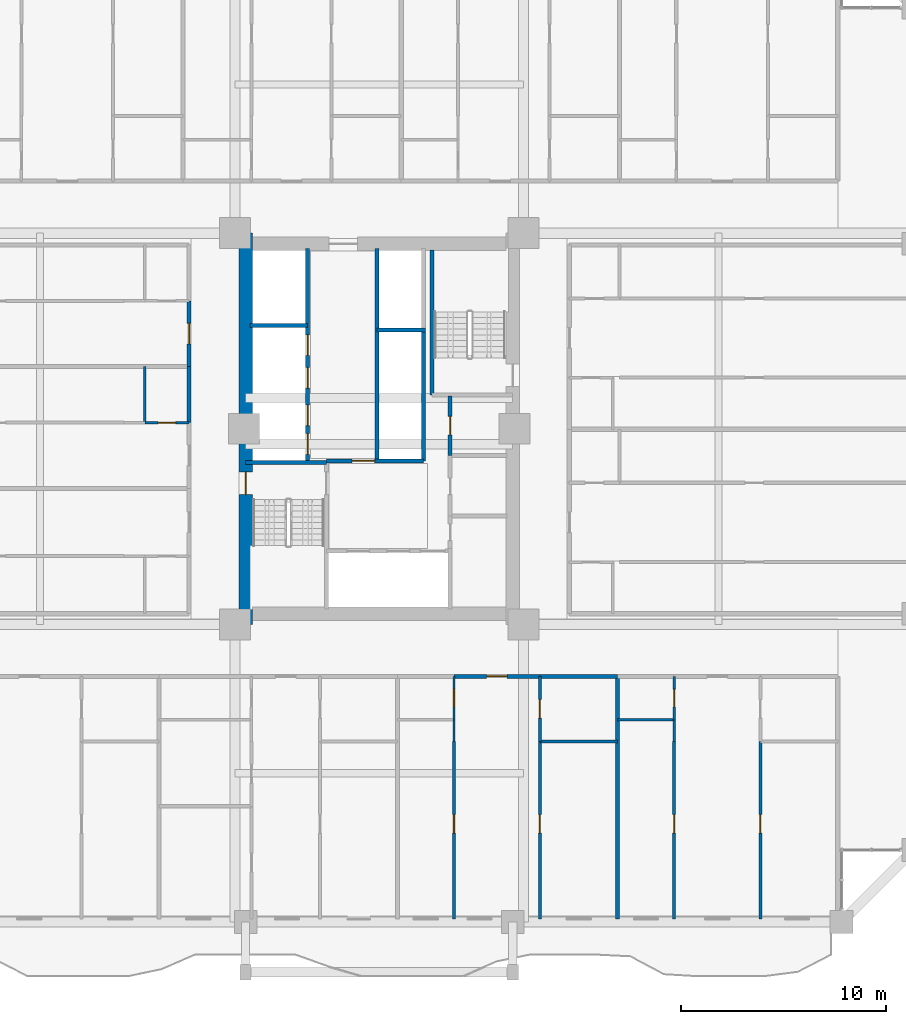
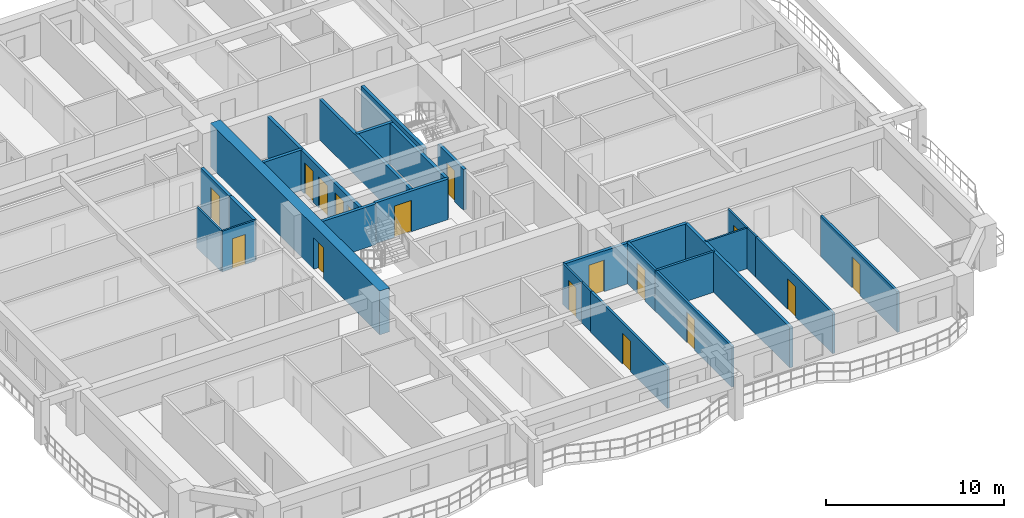
# One storey, part 16 of 27: 28 walls, 17 doors, 17 openings.
"""IFC4 building model written with IfcOpenShell, lengths in metres."""

import ifcopenshell
import ifcopenshell.guid

model = None  # the IFC model being written
_history = None  # IfcOwnerHistory: only IFC2X3 demands one
_inside = {}  # id of a spatial element -> (the spatial element, [elements in it])
_under = {}  # id of a project, library or spatial element -> (it, [spatial elements below it])
_declared = {}  # id of a project -> (the project, [libraries it declares])
_typed = {}  # id of a type object -> (the type object, [elements of that type])
_made_of = {}  # id of a material, layer set ... -> (it, [elements and type objects made of it])


def new_model(schema):
    """Start an empty IFC model of exactly this schema.

    Asked for "IFC4X3", IfcOpenShell would pick the latest addendum, in which some entities
    have other attributes; the version numbers below select the first issue.
    IFC2X3 requires an IfcOwnerHistory on every rooted entity: one is made here for all.
    """
    global model, _history
    if schema == "IFC4X3":
        model = ifcopenshell.file(schema_version=(4, 3, 0, 0))
    else:
        model = ifcopenshell.file(schema=schema)
    _inside.clear()
    _under.clear()
    _declared.clear()
    _typed.clear()
    _made_of.clear()
    _history = None
    if model.schema == "IFC2X3":
        org = make("IfcOrganization", Name="unknown")
        user = make(
            "IfcPersonAndOrganization",
            ThePerson=make("IfcPerson", FamilyName="unknown"),
            TheOrganization=org,
        )
        app = make(
            "IfcApplication",
            ApplicationDeveloper=org,
            Version="unknown",
            ApplicationFullName="unknown",
            ApplicationIdentifier="unknown",
        )
        _history = make(
            "IfcOwnerHistory",
            OwningUser=user,
            OwningApplication=app,
            ChangeAction="ADDED",
            CreationDate=0,
        )
    return model


def make(cls, **values):
    """One entity of the class cls with the attributes given. An attribute that is None is left unset."""
    return model.create_entity(
        cls, **{name: value for name, value in values.items() if value is not None}
    )


def rooted(cls, **values):
    """An entity with a GlobalId (a new one), such as an element, a storey or a relation."""
    return make(cls, GlobalId=ifcopenshell.guid.new(), OwnerHistory=_history, **values)


def si_unit(unit_type, name, prefix=None):
    """IfcSIUnit, for example si_unit("LENGTHUNIT", "METRE", prefix="MILLI")."""
    return make("IfcSIUnit", UnitType=unit_type, Prefix=prefix, Name=name)


def assignment(units):
    """IfcUnitAssignment: the units of a project."""
    return None if units is None else make("IfcUnitAssignment", Units=units)


def point(xyz):
    """IfcCartesianPoint."""
    return None if xyz is None else make("IfcCartesianPoint", Coordinates=xyz)


def direction(xyz):
    """IfcDirection."""
    return None if xyz is None else make("IfcDirection", DirectionRatios=xyz)


def frame(location, z_axis=None, x_axis=None):
    """IfcAxis2Placement3D, a coordinate frame: its origin and axes. An axis left out is left unset."""
    return make(
        "IfcAxis2Placement3D",
        Location=point(location),
        Axis=direction(z_axis),
        RefDirection=direction(x_axis),
    )


def frame_2d(location, x_axis=None):
    """IfcAxis2Placement2D, a coordinate frame in the plane: its origin and x axis."""
    return make(
        "IfcAxis2Placement2D", Location=point(location), RefDirection=direction(x_axis)
    )


def origin():
    """The frame at (0, 0, 0) with its axes left unset."""
    return frame((0.0, 0.0, 0.0))


def place(relative_to, where):
    """IfcLocalPlacement: puts the frame where relative to a parent placement (None: the world)."""
    return make(
        "IfcLocalPlacement", PlacementRelTo=relative_to, RelativePlacement=where
    )


def context(
    kind, dimensions, precision=None, world=None, true_north=None, identifier=None
):
    """IfcGeometricRepresentationContext, for example the 3D "Model" context."""
    return make(
        "IfcGeometricRepresentationContext",
        ContextIdentifier=identifier,
        ContextType=kind,
        CoordinateSpaceDimension=dimensions,
        Precision=precision,
        WorldCoordinateSystem=world,
        TrueNorth=true_north,
    )


def subcontext(parent, identifier, kind, view, scale=None):
    """IfcGeometricRepresentationSubContext, for example "Body" below "Model"."""
    return make(
        "IfcGeometricRepresentationSubContext",
        ContextIdentifier=identifier,
        ContextType=kind,
        ParentContext=parent,
        TargetScale=scale,
        TargetView=view,
    )


def project(units=None, contexts=None):
    """IfcProject with its units and contexts."""
    return rooted(
        "IfcProject",
        Name="project",
        RepresentationContexts=contexts,
        UnitsInContext=assignment(units),
    )


def spatial(cls, under=None, at=None, **own):
    """A site, building, storey or space (cls), placed at a placement, below another one or the project."""
    s = rooted(cls, ObjectPlacement=at, **own)
    if under is not None:
        _under.setdefault(under.id(), (under, []))[1].append(s)
    return s


def profile(cls, at=None, kind="AREA", **sizes):
    """A parametric profile (cls). Its sizes go by their IFC names, for example OverallWidth=200.0."""
    return make(cls, ProfileType=kind, Position=at, **sizes)


def rectangle(**sizes):
    """IfcRectangleProfileDef."""
    return profile("IfcRectangleProfileDef", **sizes)


def extrude(swept, where, along, depth):
    """IfcExtrudedAreaSolid: the profile swept, set in the frame where, extruded along a direction by depth."""
    return make(
        "IfcExtrudedAreaSolid",
        SweptArea=swept,
        Position=where,
        ExtrudedDirection=direction(along),
        Depth=depth,
    )


def shape(context_of_items, identifier, shape_type, items):
    """IfcShapeRepresentation: the items that make up one representation, for example the "Body"."""
    return make(
        "IfcShapeRepresentation",
        ContextOfItems=context_of_items,
        RepresentationIdentifier=identifier,
        RepresentationType=shape_type,
        Items=items,
    )


def source(mapping_origin, context_of_items, identifier, shape_type, items):
    """IfcRepresentationMap: a shape defined once, which mapped items show again and again."""
    return make(
        "IfcRepresentationMap",
        MappingOrigin=mapping_origin,
        MappedRepresentation=shape(context_of_items, identifier, shape_type, items),
    )


def transform(
    local_origin,
    x_axis=None,
    y_axis=None,
    z_axis=None,
    scale=None,
    scale2=None,
    scale3=None,
    uniform=True,
):
    """IfcCartesianTransformationOperator3D, or its non-uniform kind. x_axis, y_axis, z_axis: its Axis1, 2, 3."""
    if uniform:
        return make(
            "IfcCartesianTransformationOperator3D",
            Axis1=direction(x_axis),
            Axis2=direction(y_axis),
            LocalOrigin=point(local_origin),
            Scale=scale,
            Axis3=direction(z_axis),
        )
    return make(
        "IfcCartesianTransformationOperator3DnonUniform",
        Axis1=direction(x_axis),
        Axis2=direction(y_axis),
        LocalOrigin=point(local_origin),
        Scale=scale,
        Axis3=direction(z_axis),
        Scale2=scale2,
        Scale3=scale3,
    )


def mapped(mapping_source, mapping_target):
    """IfcMappedItem: shows the shape of a source again, moved by a transform."""
    return make(
        "IfcMappedItem", MappingSource=mapping_source, MappingTarget=mapping_target
    )


def material(Name=None, Category=None):
    """IfcMaterial."""
    return make("IfcMaterial", Name=Name, Category=Category)


def layer(
    of_material, thickness, ventilated=None, Name=None, Category=None, Priority=None
):
    """IfcMaterialLayer: one layer of a wall or slab, of a material (None: an air gap)."""
    return make(
        "IfcMaterialLayer",
        Material=of_material,
        LayerThickness=thickness,
        IsVentilated=ventilated,
        Name=Name,
        Category=Category,
        Priority=Priority,
    )


def layer_set(layers, Name=None):
    """IfcMaterialLayerSet."""
    return make("IfcMaterialLayerSet", MaterialLayers=layers, LayerSetName=Name)


def made_of(thing, what):
    """Note that an element or type object is made of a material, layer set ...; save() writes the relation."""
    if what is not None:
        _made_of.setdefault(what.id(), (what, []))[1].append(thing)
    return thing


def type_object(cls, material=None, **own):
    """A type object (cls), such as IfcWallType, which elements share."""
    return made_of(rooted(cls, **own), material)


def element(
    cls,
    number,
    at=None,
    inside=None,
    cuts=None,
    type_object=None,
    material=None,
    context=None,
    identifier="Body",
    shape_type=None,
    held_by="IfcProductDefinitionShape",
    body=None,
    shapes=None,
    **own,
):
    """One element of the class cls, such as IfcWall. Its Tag is "e" and its number.

    at: its placement. inside: the storey or other place that contains it. cuts: it is an
    opening in that element (IfcRelVoidsElement). A single representation is given by context,
    identifier, shape_type and body (its items); several are given by shapes. held_by: the class
    of the entity that holds the representations. save() writes the other relations.
    """
    e = rooted(cls, Tag="e%d" % number, ObjectPlacement=at, **own)
    if body is not None:
        shapes = [shape(context, identifier, shape_type, body)]
    if shapes is not None:
        e.Representation = make(held_by, Representations=shapes)
    if inside is not None:
        _inside.setdefault(inside.id(), (inside, []))[1].append(e)
    if cuts is not None:
        rooted(
            "IfcRelVoidsElement", RelatingBuildingElement=cuts, RelatedOpeningElement=e
        )
    if type_object is not None:
        _typed.setdefault(type_object.id(), (type_object, []))[1].append(e)
    return made_of(e, material)


def fill(opening, filler):
    """IfcRelFillsElement: the door or window that sits in an opening."""
    return rooted(
        "IfcRelFillsElement",
        RelatingOpeningElement=opening,
        RelatedBuildingElement=filler,
    )


def aggregate(whole, parts):
    """IfcRelAggregates: a whole, such as a stair, and the parts it consists of."""
    return rooted("IfcRelAggregates", RelatingObject=whole, RelatedObjects=parts)


def save(model, path):
    """Write the relations noted so far, then the file.

    IfcRelAggregates (storeys below a building ...), IfcRelContainedInSpatialStructure (elements
    in a storey), IfcRelDefinesByType, IfcRelAssociatesMaterial and IfcRelDeclares: one each for
    every whole, place, type object, material and project.
    """
    for whole, parts in _under.values():
        aggregate(whole, parts)
    for where, things in _inside.values():
        rooted(
            "IfcRelContainedInSpatialStructure",
            RelatedElements=things,
            RelatingStructure=where,
        )
    for kind, things in _typed.values():
        rooted("IfcRelDefinesByType", RelatedObjects=things, RelatingType=kind)
    for what, things in _made_of.values():
        rooted("IfcRelAssociatesMaterial", RelatedObjects=things, RelatingMaterial=what)
    for by, libraries in _declared.values():
        rooted("IfcRelDeclares", RelatingContext=by, RelatedDefinitions=libraries)
    model.write(path)


model = new_model("IFC4")

# Units and contexts
model_context = context("Model", 3, precision=1e-05, world=origin(), true_north=direction((0.0, 1.0)))
body_context = subcontext(model_context, "Body", "Model", "MODEL_VIEW")
ifc_project = project(units=[si_unit("LENGTHUNIT", "METRE"), si_unit("AREAUNIT", "SQUARE_METRE"), si_unit("VOLUMEUNIT", "CUBIC_METRE"), si_unit("PLANEANGLEUNIT", "RADIAN"), si_unit("MASSUNIT", "GRAM", prefix="KILO")], contexts=[model_context])

# Site, building, storey
site_placement = place(None, origin())
site = spatial("IfcSite", under=ifc_project, at=site_placement, CompositionType="ELEMENT")
building_placement = place(site_placement, origin())
building = spatial("IfcBuilding", under=site, at=building_placement, Name="Saelheon Loggia Tower", CompositionType="ELEMENT")
storey_placement = place(building_placement, frame((0.0, 0.0, 34.39990234375)))
storey = spatial("IfcBuildingStorey", under=building, at=storey_placement, Name="L10", CompositionType="ELEMENT", Elevation=34.39990234375)

# Wall, opening, door
ifc_material_1 = material(Name="Concrete C60/75", Category="concrete")
ifc_layer_1 = layer(ifc_material_1, 0.64990234375)
ifc_layer_set_1 = layer_set([ifc_layer_1], Name="Concrete C60/75")
wall_type_1 = type_object("IfcWallType", Name="Wall_CoreShear_650", PredefinedType="SHEAR", material=ifc_layer_set_1)
wall_1_placement = place(storey_placement, frame((31.5, 17.47998046875, 0.0), z_axis=(0.0, 0.0, 1.0), x_axis=(0.0, 1.0, 0.0)))
wall_1 = element("IfcWall", 1, at=wall_1_placement, inside=storey, type_object=wall_type_1, Name="L10 Core Shear Wall West", PredefinedType="SHEAR", context=body_context, shape_type="SweptSolid", body=[
    extrude(rectangle(XDim=19.0400390625, YDim=0.64990234375, at=frame_2d((9.52001953125, 0.0))), origin(), (0.0, 0.0, 1.0), 3.0),
])
opening_1_placement = place(wall_1_placement, frame((6.320068359375, 0.0, 0.0)))
opening_1 = element("IfcOpeningElement", 2, at=opening_1_placement, cuts=wall_1, Name="Opening D-FD2", PredefinedType="OPENING", context=body_context, shape_type="SweptSolid", body=[
    extrude(rectangle(XDim=1.10009765625, YDim=2.14990234375, at=frame_2d((0.550048828125, 1.074951171875))), frame((0.0, 0.3369140625, 0.0), z_axis=(0.0, -1.0, 0.0), x_axis=(1.0, 0.0, 0.0)), (0.0, 0.0, 1.0), 0.673828125),
])
ifc_material_2 = material(Name="Galvanised Steel Fire Door", Category="steel")
door_type_1 = type_object("IfcDoorType", Name="Door_Fire_FD60_1100", OperationType="NOTDEFINED", PredefinedType="DOOR", material=ifc_material_2)
shared_shape_1 = source(origin(), body_context, "Body", "SweptSolid", [
    extrude(rectangle(XDim=1.10009765625, YDim=2.14990234375, at=frame_2d((0.550048828125, 1.074951171875))), frame((0.0, 0.02490234375, 0.0), z_axis=(0.0, -1.0, 0.0), x_axis=(1.0, 0.0, 0.0)), (0.0, 0.0, 1.0), 0.050048828125),
])
door_1_placement = place(opening_1_placement, origin())
door_1 = element("IfcDoor", 3, at=door_1_placement, inside=storey, type_object=door_type_1, Name="L10 Stair ST1 Corridor Door", OperationType="SINGLE_SWING_LEFT", OverallHeight=2.14990234375, OverallWidth=1.10009765625, PredefinedType="DOOR", context=body_context, shape_type="MappedRepresentation", body=[
    mapped(shared_shape_1, transform((0.0, 0.0, 0.0), scale=1.0)),
])
fill(opening_1, door_1)

# Wall
ifc_material_3 = material(Name="Lightweight Autoclaved Aerated Concrete Block and Acoustic Gypsum", Category="concrete")
ifc_layer_2 = layer(ifc_material_3, 0.14990234375)
ifc_layer_set_2 = layer_set([ifc_layer_2], Name="Lightweight Autoclaved Aerated Concrete Block and Acoustic Gypsum")
wall_type_2 = type_object("IfcWallType", Name="Wall_Part_150", PredefinedType="PARTITIONING", material=ifc_layer_set_2)
wall_2_placement = place(storey_placement, frame((45.820068359375, 11.780029296875, 0.0), z_axis=(0.0, 0.0, 1.0), x_axis=(1.0, 0.0, 0.0)))
element("IfcWall", 4, at=wall_2_placement, inside=storey, type_object=wall_type_2, Name="L10 S Partition V31", PredefinedType="PARTITIONING", context=body_context, shape_type="SweptSolid", body=[
    extrude(rectangle(XDim=3.786376953125, YDim=0.14990234375, at=frame_2d((1.89306640625, 0.0))), origin(), (0.0, 0.0, 1.0), 2.7900390625),
])

# Wall, opening, door
wall_3_placement = place(storey_placement, frame((41.642822265625, 11.780029296875, 0.0), z_axis=(0.0, 0.0, 1.0), x_axis=(0.0, -1.0, 0.0)))
wall_3 = element("IfcWall", 5, at=wall_3_placement, inside=storey, type_object=wall_type_2, Name="L10 S Partition U34", PredefinedType="PARTITIONING", context=body_context, shape_type="SweptSolid", body=[
    extrude(rectangle(XDim=8.630126953125, YDim=0.14990234375, at=frame_2d((4.31494140625, 0.0))), origin(), (0.0, 0.0, 1.0), 2.7900390625),
])
opening_2_placement = place(wall_3_placement, frame((3.56298828125, 0.0, 0.0)))
opening_2 = element("IfcOpeningElement", 6, at=opening_2_placement, cuts=wall_3, Name="Opening D-IN2", PredefinedType="OPENING", context=body_context, shape_type="SweptSolid", body=[
    extrude(rectangle(XDim=0.89990234375, YDim=2.10009765625, at=frame_2d((0.449951171875, 1.050048828125))), frame((0.0, 0.0869140625, 0.0), z_axis=(0.0, -1.0, 0.0), x_axis=(1.0, 0.0, 0.0)), (0.0, 0.0, 1.0), 0.173828125),
])
ifc_material_4 = material(Name="Engineered Oak Flush Door", Category="timber")
door_type_2 = type_object("IfcDoorType", Name="Door_Int_900", OperationType="NOTDEFINED", PredefinedType="DOOR", material=ifc_material_4)
shared_shape_2 = source(origin(), body_context, "Body", "SweptSolid", [
    extrude(rectangle(XDim=0.89990234375, YDim=2.10009765625, at=frame_2d((0.449951171875, 1.050048828125))), frame((0.0, 0.02490234375, 0.0), z_axis=(0.0, -1.0, 0.0), x_axis=(1.0, 0.0, 0.0)), (0.0, 0.0, 1.0), 0.050048828125),
])
door_2_placement = place(opening_2_placement, origin())
door_2 = element("IfcDoor", 7, at=door_2_placement, inside=storey, type_object=door_type_2, Name="Unit U03 Kitchen Door", OperationType="SINGLE_SWING_RIGHT", OverallHeight=2.10009765625, OverallWidth=0.89990234375, PredefinedType="DOOR", context=body_context, shape_type="MappedRepresentation", body=[
    mapped(shared_shape_2, transform((0.0, 0.0, 0.0), scale=1.0)),
])
fill(opening_2, door_2)

wall_4_placement = place(storey_placement, frame((45.820068359375, 14.949951171875, 0.0), z_axis=(0.0, 0.0, 1.0), x_axis=(0.0, -1.0, 0.0)))
wall_4 = element("IfcWall", 8, at=wall_4_placement, inside=storey, type_object=wall_type_2, Name="L10 S Partition U35", PredefinedType="PARTITIONING", context=body_context, shape_type="SweptSolid", body=[
    extrude(rectangle(XDim=3.169921875, YDim=0.14990234375, at=frame_2d((1.5849609375, 0.0))), origin(), (0.0, 0.0, 1.0), 2.7900390625),
])
opening_3_placement = place(wall_4_placement, frame((1.135009765625, 0.0, 0.0)))
opening_3 = element("IfcOpeningElement", 9, at=opening_3_placement, cuts=wall_4, Name="Opening D-IN2", PredefinedType="OPENING", context=body_context, shape_type="SweptSolid", body=[
    extrude(rectangle(XDim=0.89990234375, YDim=2.10009765625, at=frame_2d((0.449951171875, 1.050048828125))), frame((0.0, 0.0869140625, 0.0), z_axis=(0.0, -1.0, 0.0), x_axis=(1.0, 0.0, 0.0)), (0.0, 0.0, 1.0), 0.173828125),
])
door_3_placement = place(opening_3_placement, origin())
door_3 = element("IfcDoor", 10, at=door_3_placement, inside=storey, type_object=door_type_2, Name="Unit U03 Dressing Closet Door", OperationType="SINGLE_SWING_LEFT", OverallHeight=2.10009765625, OverallWidth=0.89990234375, PredefinedType="DOOR", context=body_context, shape_type="MappedRepresentation", body=[
    mapped(shared_shape_2, transform((0.0, 0.0, 0.0), scale=1.0)),
])
fill(opening_3, door_3)

wall_5_placement = place(storey_placement, frame((45.820068359375, 11.780029296875, 0.0), z_axis=(0.0, 0.0, 1.0), x_axis=(0.0, -1.0, 0.0)))
wall_5 = element("IfcWall", 11, at=wall_5_placement, inside=storey, type_object=wall_type_2, Name="L10 S Partition U36", PredefinedType="PARTITIONING", context=body_context, shape_type="SweptSolid", body=[
    extrude(rectangle(XDim=8.630126953125, YDim=0.14990234375, at=frame_2d((4.31494140625, 0.0))), origin(), (0.0, 0.0, 1.0), 2.7900390625),
])
opening_4_placement = place(wall_5_placement, frame((3.56298828125, 0.0, 0.0)))
opening_4 = element("IfcOpeningElement", 12, at=opening_4_placement, cuts=wall_5, Name="Opening D-IN2", PredefinedType="OPENING", context=body_context, shape_type="SweptSolid", body=[
    extrude(rectangle(XDim=0.89990234375, YDim=2.10009765625, at=frame_2d((0.449951171875, 1.050048828125))), frame((0.0, 0.0869140625, 0.0), z_axis=(0.0, -1.0, 0.0), x_axis=(1.0, 0.0, 0.0)), (0.0, 0.0, 1.0), 0.173828125),
])
door_4_placement = place(opening_4_placement, origin())
door_4 = element("IfcDoor", 13, at=door_4_placement, inside=storey, type_object=door_type_2, Name="Unit U03 Bedroom 1 Door", OperationType="SINGLE_SWING_RIGHT", OverallHeight=2.10009765625, OverallWidth=0.89990234375, PredefinedType="DOOR", context=body_context, shape_type="MappedRepresentation", body=[
    mapped(shared_shape_2, transform((0.0, 0.0, 0.0), scale=1.0)),
])
fill(opening_4, door_4)

wall_6_placement = place(storey_placement, frame((52.3564453125, 11.780029296875, 0.0), z_axis=(0.0, 0.0, 1.0), x_axis=(0.0, -1.0, 0.0)))
wall_6 = element("IfcWall", 14, at=wall_6_placement, inside=storey, type_object=wall_type_2, Name="L10 S Partition U45", PredefinedType="PARTITIONING", context=body_context, shape_type="SweptSolid", body=[
    extrude(rectangle(XDim=8.630126953125, YDim=0.14990234375, at=frame_2d((4.31494140625, 0.0))), origin(), (0.0, 0.0, 1.0), 2.7900390625),
])
opening_5_placement = place(wall_6_placement, frame((3.56298828125, 0.0, 0.0)))
opening_5 = element("IfcOpeningElement", 15, at=opening_5_placement, cuts=wall_6, Name="Opening D-IN2", PredefinedType="OPENING", context=body_context, shape_type="SweptSolid", body=[
    extrude(rectangle(XDim=0.89990234375, YDim=2.10009765625, at=frame_2d((0.449951171875, 1.050048828125))), frame((0.0, 0.0869140625, 0.0), z_axis=(0.0, -1.0, 0.0), x_axis=(1.0, 0.0, 0.0)), (0.0, 0.0, 1.0), 0.173828125),
])
door_5_placement = place(opening_5_placement, origin())
door_5 = element("IfcDoor", 16, at=door_5_placement, inside=storey, type_object=door_type_2, Name="Unit U04 Kitchen Door", OperationType="SINGLE_SWING_LEFT", OverallHeight=2.10009765625, OverallWidth=0.89990234375, PredefinedType="DOOR", context=body_context, shape_type="MappedRepresentation", body=[
    mapped(shared_shape_2, transform((0.0, 0.0, 0.0), scale=1.0)),
])
fill(opening_5, door_5)

wall_7_placement = place(storey_placement, frame((56.55419921875, 11.780029296875, 0.0), z_axis=(0.0, 0.0, 1.0), x_axis=(0.0, -1.0, 0.0)))
wall_7 = element("IfcWall", 17, at=wall_7_placement, inside=storey, type_object=wall_type_2, Name="L10 S Partition U47", PredefinedType="PARTITIONING", context=body_context, shape_type="SweptSolid", body=[
    extrude(rectangle(XDim=8.630126953125, YDim=0.14990234375, at=frame_2d((4.31494140625, 0.0))), origin(), (0.0, 0.0, 1.0), 2.7900390625),
])
opening_6_placement = place(wall_7_placement, frame((3.56298828125, 0.0, 0.0)))
opening_6 = element("IfcOpeningElement", 18, at=opening_6_placement, cuts=wall_7, Name="Opening D-IN2", PredefinedType="OPENING", context=body_context, shape_type="SweptSolid", body=[
    extrude(rectangle(XDim=0.89990234375, YDim=2.10009765625, at=frame_2d((0.449951171875, 1.050048828125))), frame((0.0, 0.0869140625, 0.0), z_axis=(0.0, -1.0, 0.0), x_axis=(1.0, 0.0, 0.0)), (0.0, 0.0, 1.0), 0.173828125),
])
door_6_placement = place(opening_6_placement, origin())
door_6 = element("IfcDoor", 19, at=door_6_placement, inside=storey, type_object=door_type_2, Name="Unit U04 Bedroom 1 Door", OperationType="SINGLE_SWING_LEFT", OverallHeight=2.10009765625, OverallWidth=0.89990234375, PredefinedType="DOOR", context=body_context, shape_type="MappedRepresentation", body=[
    mapped(shared_shape_2, transform((0.0, 0.0, 0.0), scale=1.0)),
])
fill(opening_6, door_6)

ifc_material_5 = material(Name="Double Acoustic Stud and Fireboard Partition", Category="gypsum")
ifc_layer_3 = layer(ifc_material_5, 0.199951171875)
ifc_layer_set_3 = layer_set([ifc_layer_3], Name="Double Acoustic Stud and Fireboard Partition")
wall_type_3 = type_object("IfcWallType", Name="Wall_Party_200", PredefinedType="PARTITIONING", material=ifc_layer_set_3)
wall_8_placement = place(storey_placement, frame((41.642822265625, 14.949951171875, 0.0), z_axis=(0.0, 0.0, 1.0), x_axis=(1.0, 0.0, 0.0)))
wall_8 = element("IfcWall", 20, at=wall_8_placement, inside=storey, type_object=wall_type_3, Name="L10 S Partition V28", PredefinedType="PARTITIONING", context=body_context, shape_type="SweptSolid", body=[
    extrude(rectangle(XDim=4.17724609375, YDim=0.199951171875, at=frame_2d((2.088623046875, 0.0))), origin(), (0.0, 0.0, 1.0), 2.7900390625),
])
opening_7_placement = place(wall_8_placement, frame((1.588623046875, 0.0, 0.0)))
opening_7 = element("IfcOpeningElement", 21, at=opening_7_placement, cuts=wall_8, Name="Opening D-FD1", PredefinedType="OPENING", context=body_context, shape_type="SweptSolid", body=[
    extrude(rectangle(XDim=1.0, YDim=2.14990234375, at=frame_2d((0.5, 1.074951171875))), frame((0.0, 0.112060546875, 0.0), z_axis=(0.0, -1.0, 0.0), x_axis=(1.0, 0.0, 0.0)), (0.0, 0.0, 1.0), 0.223876953125),
])
ifc_material_6 = material(Name="Fire-Rated Engineered Timber Entrance Door", Category="wood")
door_type_3 = type_object("IfcDoorType", Name="Door_Flat_FD30S", OperationType="NOTDEFINED", PredefinedType="DOOR", material=ifc_material_6)
shared_shape_3 = source(origin(), body_context, "Body", "SweptSolid", [
    extrude(rectangle(XDim=1.0, YDim=2.14990234375, at=frame_2d((0.5, 1.074951171875))), frame((0.0, 0.02490234375, 0.0), z_axis=(0.0, -1.0, 0.0), x_axis=(1.0, 0.0, 0.0)), (0.0, 0.0, 1.0), 0.050048828125),
])
door_7_placement = place(opening_7_placement, origin())
door_7 = element("IfcDoor", 22, at=door_7_placement, inside=storey, type_object=door_type_3, Name="Unit U03 Entrance Door", OperationType="SINGLE_SWING_RIGHT", OverallHeight=2.14990234375, OverallWidth=1.0, PredefinedType="DOOR", context=body_context, shape_type="MappedRepresentation", body=[
    mapped(shared_shape_3, transform((0.0, 0.0, 0.0), scale=1.0)),
])
fill(opening_7, door_7)

# Walls
wall_9_placement = place(storey_placement, frame((45.820068359375, 14.949951171875, 0.0), z_axis=(0.0, 0.0, 1.0), x_axis=(1.0, 0.0, 0.0)))
element("IfcWall", 23, at=wall_9_placement, inside=storey, type_object=wall_type_3, Name="L10 S Partition V29", PredefinedType="PARTITIONING", context=body_context, shape_type="SweptSolid", body=[
    extrude(rectangle(XDim=3.786376953125, YDim=0.199951171875, at=frame_2d((1.89306640625, 0.0))), origin(), (0.0, 0.0, 1.0), 2.7900390625),
])
wall_10_placement = place(storey_placement, frame((49.6064453125, 14.949951171875, 0.0), z_axis=(0.0, 0.0, 1.0), x_axis=(0.0, -1.0, 0.0)))
element("IfcWall", 24, at=wall_10_placement, inside=storey, type_object=wall_type_3, Name="L10 S Partition U37", PredefinedType="PARTITIONING", context=body_context, shape_type="SweptSolid", body=[
    extrude(rectangle(XDim=11.800048828125, YDim=0.199951171875, at=frame_2d((5.89990234375, 0.0))), origin(), (0.0, 0.0, 1.0), 2.7900390625),
])
wall_11_placement = place(storey_placement, frame((28.75, 27.3017578125, 0.0), z_axis=(0.0, 0.0, 1.0), x_axis=(0.0, 1.0, 0.0)))
element("IfcWall", 25, at=wall_11_placement, inside=storey, type_object=wall_type_3, Name="L10 W Partition V11", PredefinedType="PARTITIONING", context=body_context, shape_type="SweptSolid", body=[
    extrude(rectangle(XDim=2.724853515625, YDim=0.199951171875, at=frame_2d((1.3623046875, 0.0))), origin(), (0.0, 0.0, 1.0), 2.7900390625),
])

# Wall, opening, door
wall_12_placement = place(storey_placement, frame((28.75, 30.026611328125, 0.0), z_axis=(0.0, 0.0, 1.0), x_axis=(0.0, 1.0, 0.0)))
wall_12 = element("IfcWall", 26, at=wall_12_placement, inside=storey, type_object=wall_type_3, Name="L10 W Partition V17", PredefinedType="PARTITIONING", context=body_context, shape_type="SweptSolid", body=[
    extrude(rectangle(XDim=3.198486328125, YDim=0.199951171875, at=frame_2d((1.59912109375, 0.0))), origin(), (0.0, 0.0, 1.0), 2.7900390625),
])
opening_8_placement = place(wall_12_placement, frame((1.099365234375, 0.0, 0.0)))
opening_8 = element("IfcOpeningElement", 27, at=opening_8_placement, cuts=wall_12, Name="Opening D-FD1", PredefinedType="OPENING", context=body_context, shape_type="SweptSolid", body=[
    extrude(rectangle(XDim=1.0, YDim=2.14990234375, at=frame_2d((0.5, 1.074951171875))), frame((0.0, 0.112060546875, 0.0), z_axis=(0.0, -1.0, 0.0), x_axis=(1.0, 0.0, 0.0)), (0.0, 0.0, 1.0), 0.223876953125),
])
door_8_placement = place(opening_8_placement, origin())
door_8 = element("IfcDoor", 28, at=door_8_placement, inside=storey, type_object=door_type_3, Name="Unit U11 Entrance Door", OperationType="SINGLE_SWING_LEFT", OverallHeight=2.14990234375, OverallWidth=1.0, PredefinedType="DOOR", context=body_context, shape_type="MappedRepresentation", body=[
    mapped(shared_shape_3, transform((0.0, 0.0, 0.0), scale=1.0)),
])
fill(opening_8, door_8)

ifc_material_7 = material(Name="Concrete C40/50", Category="concrete")
ifc_layer_4 = layer(ifc_material_7, 0.199951171875)
ifc_layer_set_4 = layer_set([ifc_layer_4], Name="Concrete C40/50")
wall_type_4 = type_object("IfcWallType", Name="Wall_Shaft_200", PredefinedType="PARTITIONING", material=ifc_layer_set_4)
wall_13_placement = place(storey_placement, frame((41.449951171875, 25.699951171875, 0.0), z_axis=(0.0, 0.0, 1.0), x_axis=(0.0, 1.0, 0.0)))
wall_13 = element("IfcWall", 29, at=wall_13_placement, inside=storey, type_object=wall_type_4, Name="CW-INT-L10-BOH-W3", PredefinedType="PARTITIONING", context=body_context, shape_type="SweptSolid", body=[
    extrude(rectangle(XDim=2.900146484375, YDim=0.199951171875, at=frame_2d((1.4501953125, 0.0))), origin(), (0.0, 0.0, 1.0), 2.7900390625),
])
opening_9_placement = place(wall_13_placement, frame((1.0, 0.0, 0.0)))
opening_9 = element("IfcOpeningElement", 30, at=opening_9_placement, cuts=wall_13, Name="Opening D-RS1", PredefinedType="OPENING", context=body_context, shape_type="SweptSolid", body=[
    extrude(rectangle(XDim=0.89990234375, YDim=2.10009765625, at=frame_2d((0.449951171875, 1.050048828125))), frame((0.0, 0.112060546875, 0.0), z_axis=(0.0, -1.0, 0.0), x_axis=(1.0, 0.0, 0.0)), (0.0, 0.0, 1.0), 0.223876953125),
])
ifc_material_8 = material(Name="Galvanised Steel Riser Access Door", Category="steel")
door_type_4 = type_object("IfcDoorType", Name="Door_Riser_FD60", OperationType="NOTDEFINED", PredefinedType="DOOR", material=ifc_material_8)
door_9_placement = place(opening_9_placement, origin())
door_9 = element("IfcDoor", 31, at=door_9_placement, inside=storey, type_object=door_type_4, Name="L10 Floor IT Room Door", OperationType="SINGLE_SWING_RIGHT", OverallHeight=2.10009765625, OverallWidth=0.89990234375, PredefinedType="DOOR", context=body_context, shape_type="MappedRepresentation", body=[
    mapped(shared_shape_2, transform((0.0, 0.0, 0.0), scale=1.0)),
])
fill(opening_9, door_9)

# Wall
wall_14_placement = place(storey_placement, frame((40.14990234375, 25.43994140625, 0.0), z_axis=(0.0, 0.0, 1.0), x_axis=(0.0, 1.0, 0.0)))
element("IfcWall", 32, at=wall_14_placement, inside=storey, type_object=wall_type_4, Name="L10 Core Service Passage West Wall", PredefinedType="PARTITIONING", context=body_context, shape_type="SweptSolid", body=[
    extrude(rectangle(XDim=6.360107421875, YDim=0.199951171875, at=frame_2d((3.18017578125, 0.0))), origin(), (0.0, 0.0, 1.0), 2.7900390625),
])

# Wall, opening, door
wall_15_placement = place(storey_placement, frame((35.429931640625, 25.43994140625, 0.0), z_axis=(0.0, 0.0, 1.0), x_axis=(1.0, 0.0, 0.0)))
wall_15 = element("IfcWall", 33, at=wall_15_placement, inside=storey, type_object=wall_type_4, Name="L10 Firefighting Lobby Compartment Wall", PredefinedType="PARTITIONING", context=body_context, shape_type="SweptSolid", body=[
    extrude(rectangle(XDim=4.719970703125, YDim=0.199951171875, at=frame_2d((2.35986328125, 0.0))), origin(), (0.0, 0.0, 1.0), 2.7900390625),
])
opening_10_placement = place(wall_15_placement, frame((1.25, 0.0, 0.0)))
opening_10 = element("IfcOpeningElement", 34, at=opening_10_placement, cuts=wall_15, Name="Opening D-FD2", PredefinedType="OPENING", context=body_context, shape_type="SweptSolid", body=[
    extrude(rectangle(XDim=1.10009765625, YDim=2.14990234375, at=frame_2d((0.550048828125, 1.074951171875))), frame((0.0, 0.112060546875, 0.0), z_axis=(0.0, -1.0, 0.0), x_axis=(1.0, 0.0, 0.0)), (0.0, 0.0, 1.0), 0.223876953125),
])
door_10_placement = place(opening_10_placement, origin())
door_10 = element("IfcDoor", 35, at=door_10_placement, inside=storey, type_object=door_type_1, Name="L10 Firefighting Lobby Door", OperationType="SINGLE_SWING_LEFT", OverallHeight=2.14990234375, OverallWidth=1.10009765625, PredefinedType="DOOR", context=body_context, shape_type="MappedRepresentation", body=[
    mapped(shared_shape_1, transform((0.0, 0.0, 0.0), scale=1.0)),
])
fill(opening_10, door_10)

# Wall, openings, doors
wall_16_placement = place(storey_placement, frame((34.52001953125, 25.43994140625, 0.0), z_axis=(0.0, 0.0, 1.0), x_axis=(0.0, 1.0, 0.0)))
wall_16 = element("IfcWall", 36, at=wall_16_placement, inside=storey, type_object=wall_type_4, Name="L10 West Passenger Lift Bank Wall", PredefinedType="PARTITIONING", context=body_context, shape_type="SweptSolid", body=[
    extrude(rectangle(XDim=10.340087890625, YDim=0.199951171875, at=frame_2d((5.169921875, 0.0))), origin(), (0.0, 0.0, 1.0), 2.7900390625),
])
opening_11_placement = place(wall_16_placement, frame((0.320068359375, 0.0, 0.0)))
opening_11 = element("IfcOpeningElement", 37, at=opening_11_placement, cuts=wall_16, Name="Opening LD1", PredefinedType="OPENING", context=body_context, shape_type="SweptSolid", body=[
    extrude(rectangle(XDim=1.0, YDim=2.14990234375, at=frame_2d((0.5, 1.074951171875))), frame((0.0, 0.112060546875, 0.0), z_axis=(0.0, -1.0, 0.0), x_axis=(1.0, 0.0, 0.0)), (0.0, 0.0, 1.0), 0.223876953125),
])
opening_12_placement = place(wall_16_placement, frame((1.7099609375, 0.0, 0.0)))
opening_12 = element("IfcOpeningElement", 38, at=opening_12_placement, cuts=wall_16, Name="Opening LD1", PredefinedType="OPENING", context=body_context, shape_type="SweptSolid", body=[
    extrude(rectangle(XDim=1.0, YDim=2.14990234375, at=frame_2d((0.5, 1.074951171875))), frame((0.0, 0.112060546875, 0.0), z_axis=(0.0, -1.0, 0.0), x_axis=(1.0, 0.0, 0.0)), (0.0, 0.0, 1.0), 0.223876953125),
])
opening_13_placement = place(wall_16_placement, frame((3.534912109375, 0.0, 0.0)))
opening_13 = element("IfcOpeningElement", 39, at=opening_13_placement, cuts=wall_16, Name="Opening LD1", PredefinedType="OPENING", context=body_context, shape_type="SweptSolid", body=[
    extrude(rectangle(XDim=1.0, YDim=2.14990234375, at=frame_2d((0.5, 1.074951171875))), frame((0.0, 0.112060546875, 0.0), z_axis=(0.0, -1.0, 0.0), x_axis=(1.0, 0.0, 0.0)), (0.0, 0.0, 1.0), 0.223876953125),
])
opening_14_placement = place(wall_16_placement, frame((5.135009765625, 0.0, 0.0)))
opening_14 = element("IfcOpeningElement", 40, at=opening_14_placement, cuts=wall_16, Name="Opening LD1", PredefinedType="OPENING", context=body_context, shape_type="SweptSolid", body=[
    extrude(rectangle(XDim=1.0, YDim=2.14990234375, at=frame_2d((0.5, 1.074951171875))), frame((0.0, 0.112060546875, 0.0), z_axis=(0.0, -1.0, 0.0), x_axis=(1.0, 0.0, 0.0)), (0.0, 0.0, 1.0), 0.223876953125),
])
ifc_material_9 = material(Name="Brushed Stainless Steel 304 Landing Door", Category="steel")
door_type_5 = type_object("IfcDoorType", Name="Door_Lift_LD1", OperationType="DOUBLE_DOOR_SLIDING", PredefinedType="DOOR", material=ifc_material_9)
door_11_placement = place(opening_11_placement, origin())
door_11 = element("IfcDoor", 41, at=door_11_placement, inside=storey, type_object=door_type_5, Name="L10 PL1 Landing Door", OperationType="DOUBLE_DOOR_SLIDING", OverallHeight=2.14990234375, OverallWidth=1.0, PredefinedType="DOOR", context=body_context, shape_type="MappedRepresentation", body=[
    mapped(shared_shape_3, transform((0.0, 0.0, 0.0), scale=1.0)),
])
fill(opening_11, door_11)
door_12_placement = place(opening_12_placement, origin())
door_12 = element("IfcDoor", 42, at=door_12_placement, inside=storey, type_object=door_type_5, Name="L10 PL2 Landing Door", OperationType="DOUBLE_DOOR_SLIDING", OverallHeight=2.14990234375, OverallWidth=1.0, PredefinedType="DOOR", context=body_context, shape_type="MappedRepresentation", body=[
    mapped(shared_shape_3, transform((0.0, 0.0, 0.0), scale=1.0)),
])
fill(opening_12, door_12)
door_13_placement = place(opening_13_placement, origin())
door_13 = element("IfcDoor", 43, at=door_13_placement, inside=storey, type_object=door_type_5, Name="L10 PL3 Landing Door", OperationType="DOUBLE_DOOR_SLIDING", OverallHeight=2.14990234375, OverallWidth=1.0, PredefinedType="DOOR", context=body_context, shape_type="MappedRepresentation", body=[
    mapped(shared_shape_3, transform((0.0, 0.0, 0.0), scale=1.0)),
])
fill(opening_13, door_13)
door_14_placement = place(opening_14_placement, origin())
door_14 = element("IfcDoor", 44, at=door_14_placement, inside=storey, type_object=door_type_5, Name="L10 PL4 Landing Door", OperationType="DOUBLE_DOOR_SLIDING", OverallHeight=2.14990234375, OverallWidth=1.0, PredefinedType="DOOR", context=body_context, shape_type="MappedRepresentation", body=[
    mapped(shared_shape_3, transform((0.0, 0.0, 0.0), scale=1.0)),
])
fill(opening_14, door_14)

# Walls
wall_17_placement = place(storey_placement, frame((31.719970703125, 32.02001953125, 0.0), z_axis=(0.0, 0.0, 1.0), x_axis=(1.0, 0.0, 0.0)))
element("IfcWall", 45, at=wall_17_placement, inside=storey, type_object=wall_type_4, Name="L10 West High-Rise Shaft Divider", PredefinedType="PARTITIONING", context=body_context, shape_type="SweptSolid", body=[
    extrude(rectangle(XDim=2.800048828125, YDim=0.199951171875, at=frame_2d((1.39990234375, 0.0))), origin(), (0.0, 0.0, 1.0), 2.7900390625),
])
wall_18_placement = place(storey_placement, frame((37.89990234375, 25.43994140625, 0.0), z_axis=(0.0, 0.0, 1.0), x_axis=(0.0, 1.0, 0.0)))
element("IfcWall", 46, at=wall_18_placement, inside=storey, type_object=wall_type_4, Name="L10 East Passenger Lift Bank Wall", PredefinedType="PARTITIONING", context=body_context, shape_type="SweptSolid", body=[
    extrude(rectangle(XDim=10.340087890625, YDim=0.199951171875, at=frame_2d((5.169921875, 0.0))), origin(), (0.0, 0.0, 1.0), 2.7900390625),
])
wall_19_placement = place(storey_placement, frame((37.89990234375, 31.800048828125, 0.0), z_axis=(0.0, 0.0, 1.0), x_axis=(1.0, 0.0, 0.0)))
element("IfcWall", 47, at=wall_19_placement, inside=storey, type_object=wall_type_4, Name="L10 East High-Rise Shaft Divider", PredefinedType="PARTITIONING", context=body_context, shape_type="SweptSolid", body=[
    extrude(rectangle(XDim=2.35009765625, YDim=0.199951171875, at=frame_2d((1.175048828125, 0.0))), origin(), (0.0, 0.0, 1.0), 2.7900390625),
])
ifc_material_10 = material(Name="Concrete C45/55", Category="concrete")
ifc_layer_5 = layer(ifc_material_10, 0.199951171875)
ifc_layer_set_5 = layer_set([ifc_layer_5], Name="Concrete C45/55")
wall_type_5 = type_object("IfcWallType", Name="Wall_StairShaft_RC200", PredefinedType="SOLIDWALL", material=ifc_layer_set_5)
wall_20_placement = place(storey_placement, frame((31.5, 25.35009765625, 0.0), z_axis=(0.0, 0.0, 1.0), x_axis=(1.0, 0.0, 0.0)))
element("IfcWall", 48, at=wall_20_placement, inside=storey, type_object=wall_type_5, Name="L10 Stair ST1 North Wall", PredefinedType="SOLIDWALL", context=body_context, shape_type="SweptSolid", body=[
    extrude(rectangle(XDim=3.929931640625, YDim=0.199951171875, at=frame_2d((1.96484375, 0.0))), origin(), (0.0, 0.0, 1.0), 2.7900390625),
])
wall_21_placement = place(storey_placement, frame((40.570068359375, 28.64990234375, 0.0), z_axis=(0.0, 0.0, 1.0), x_axis=(0.0, 1.0, 0.0)))
element("IfcWall", 49, at=wall_21_placement, inside=storey, type_object=wall_type_5, Name="L10 Stair ST2 Shaft Wall", PredefinedType="SOLIDWALL", context=body_context, shape_type="SweptSolid", body=[
    extrude(rectangle(XDim=7.050048828125, YDim=0.199951171875, at=frame_2d((3.52490234375, 0.0))), origin(), (0.0, 0.0, 1.0), 2.7900390625),
])

# Wall, opening, door
ifc_material_11 = material(Name="Moisture-Resistant Cement Board Partition", Category="gypsum")
ifc_layer_6 = layer(ifc_material_11, 0.1201171875)
ifc_layer_set_6 = layer_set([ifc_layer_6], Name="Moisture-Resistant Cement Board Partition")
wall_type_6 = type_object("IfcWallType", Name="Wall_WetPart_120", PredefinedType="PARTITIONING", material=ifc_layer_set_6)
wall_22_placement = place(storey_placement, frame((41.642822265625, 14.949951171875, 0.0), z_axis=(0.0, 0.0, 1.0), x_axis=(0.0, -1.0, 0.0)))
wall_22 = element("IfcWall", 50, at=wall_22_placement, inside=storey, type_object=wall_type_6, Name="L10 S Partition U32", PredefinedType="PARTITIONING", context=body_context, shape_type="SweptSolid", body=[
    extrude(rectangle(XDim=2.119873046875, YDim=0.1201171875, at=frame_2d((1.06005859375, 0.0))), origin(), (0.0, 0.0, 1.0), 2.7900390625),
])
opening_15_placement = place(wall_22_placement, frame((0.635009765625, 0.0, 0.0)))
opening_15 = element("IfcOpeningElement", 51, at=opening_15_placement, cuts=wall_22, Name="Opening D-BT1", PredefinedType="OPENING", context=body_context, shape_type="SweptSolid", body=[
    extrude(rectangle(XDim=0.85009765625, YDim=2.050048828125, at=frame_2d((0.425048828125, 1.02490234375))), frame((0.0, 0.072021484375, 0.0), z_axis=(0.0, -1.0, 0.0), x_axis=(1.0, 0.0, 0.0)), (0.0, 0.0, 1.0), 0.14404296875),
])
ifc_material_12 = material(Name="Moisture-Resistant Laminate Timber Door", Category="wood")
door_type_6 = type_object("IfcDoorType", Name="Door_Bath_850", OperationType="NOTDEFINED", PredefinedType="DOOR", material=ifc_material_12)
shared_shape_4 = source(origin(), body_context, "Body", "SweptSolid", [
    extrude(rectangle(XDim=0.85009765625, YDim=2.050048828125, at=frame_2d((0.425048828125, 1.02490234375))), frame((0.0, 0.02490234375, 0.0), z_axis=(0.0, -1.0, 0.0), x_axis=(1.0, 0.0, 0.0)), (0.0, 0.0, 1.0), 0.050048828125),
])
door_15_placement = place(opening_15_placement, origin())
door_15 = element("IfcDoor", 52, at=door_15_placement, inside=storey, type_object=door_type_6, Name="Unit U03 Bathroom Door", OperationType="SINGLE_SWING_LEFT", OverallHeight=2.050048828125, OverallWidth=0.85009765625, PredefinedType="DOOR", context=body_context, shape_type="MappedRepresentation", body=[
    mapped(shared_shape_4, transform((0.0, 0.0, 0.0), scale=1.0)),
])
fill(opening_15, door_15)

# Walls
wall_23_placement = place(storey_placement, frame((41.642822265625, 12.830078125, 0.0), z_axis=(0.0, 0.0, 1.0), x_axis=(0.0, -1.0, 0.0)))
element("IfcWall", 53, at=wall_23_placement, inside=storey, type_object=wall_type_6, Name="L10 S Partition U33", PredefinedType="PARTITIONING", context=body_context, shape_type="SweptSolid", body=[
    extrude(rectangle(XDim=1.050048828125, YDim=0.1201171875, at=frame_2d((0.52490234375, 0.0))), origin(), (0.0, 0.0, 1.0), 2.7900390625),
])
wall_24_placement = place(storey_placement, frame((49.6064453125, 12.830078125, 0.0), z_axis=(0.0, 0.0, 1.0), x_axis=(1.0, 0.0, 0.0)))
element("IfcWall", 54, at=wall_24_placement, inside=storey, type_object=wall_type_6, Name="L10 S Partition V41", PredefinedType="PARTITIONING", context=body_context, shape_type="SweptSolid", body=[
    extrude(rectangle(XDim=2.75, YDim=0.1201171875, at=frame_2d((1.375, 0.0))), origin(), (0.0, 0.0, 1.0), 2.7900390625),
])

# Wall, opening, door
wall_25_placement = place(storey_placement, frame((52.3564453125, 14.949951171875, 0.0), z_axis=(0.0, 0.0, 1.0), x_axis=(0.0, -1.0, 0.0)))
wall_25 = element("IfcWall", 55, at=wall_25_placement, inside=storey, type_object=wall_type_6, Name="L10 S Partition U43", PredefinedType="PARTITIONING", context=body_context, shape_type="SweptSolid", body=[
    extrude(rectangle(XDim=2.119873046875, YDim=0.1201171875, at=frame_2d((1.06005859375, 0.0))), origin(), (0.0, 0.0, 1.0), 2.7900390625),
])
opening_16_placement = place(wall_25_placement, frame((0.635009765625, 0.0, 0.0)))
opening_16 = element("IfcOpeningElement", 56, at=opening_16_placement, cuts=wall_25, Name="Opening D-BT1", PredefinedType="OPENING", context=body_context, shape_type="SweptSolid", body=[
    extrude(rectangle(XDim=0.85009765625, YDim=2.050048828125, at=frame_2d((0.425048828125, 1.02490234375))), frame((0.0, 0.072021484375, 0.0), z_axis=(0.0, -1.0, 0.0), x_axis=(1.0, 0.0, 0.0)), (0.0, 0.0, 1.0), 0.14404296875),
])
door_16_placement = place(opening_16_placement, origin())
door_16 = element("IfcDoor", 57, at=door_16_placement, inside=storey, type_object=door_type_6, Name="Unit U04 Bathroom Door", OperationType="SINGLE_SWING_RIGHT", OverallHeight=2.050048828125, OverallWidth=0.85009765625, PredefinedType="DOOR", context=body_context, shape_type="MappedRepresentation", body=[
    mapped(shared_shape_4, transform((0.0, 0.0, 0.0), scale=1.0)),
])
fill(opening_16, door_16)

# Wall
wall_26_placement = place(storey_placement, frame((52.3564453125, 12.830078125, 0.0), z_axis=(0.0, 0.0, 1.0), x_axis=(0.0, -1.0, 0.0)))
element("IfcWall", 58, at=wall_26_placement, inside=storey, type_object=wall_type_6, Name="L10 S Partition U44", PredefinedType="PARTITIONING", context=body_context, shape_type="SweptSolid", body=[
    extrude(rectangle(XDim=1.050048828125, YDim=0.1201171875, at=frame_2d((0.52490234375, 0.0))), origin(), (0.0, 0.0, 1.0), 2.7900390625),
])

# Wall, opening, door
wall_27_placement = place(storey_placement, frame((28.75, 27.3017578125, 0.0), z_axis=(0.0, 0.0, 1.0), x_axis=(-1.0, 0.0, 0.0)))
wall_27 = element("IfcWall", 59, at=wall_27_placement, inside=storey, type_object=wall_type_6, Name="L10 W Partition U12", PredefinedType="PARTITIONING", context=body_context, shape_type="SweptSolid", body=[
    extrude(rectangle(XDim=2.14990234375, YDim=0.1201171875, at=frame_2d((1.074951171875, 0.0))), origin(), (0.0, 0.0, 1.0), 2.7900390625),
])
opening_17_placement = place(wall_27_placement, frame((0.64990234375, 0.0, 0.0)))
opening_17 = element("IfcOpeningElement", 60, at=opening_17_placement, cuts=wall_27, Name="Opening D-BT1", PredefinedType="OPENING", context=body_context, shape_type="SweptSolid", body=[
    extrude(rectangle(XDim=0.85009765625, YDim=2.050048828125, at=frame_2d((0.425048828125, 1.02490234375))), frame((0.0, 0.072021484375, 0.0), z_axis=(0.0, -1.0, 0.0), x_axis=(1.0, 0.0, 0.0)), (0.0, 0.0, 1.0), 0.14404296875),
])
door_17_placement = place(opening_17_placement, origin())
door_17 = element("IfcDoor", 61, at=door_17_placement, inside=storey, type_object=door_type_6, Name="Unit U10 Bathroom Door", OperationType="SINGLE_SWING_LEFT", OverallHeight=2.050048828125, OverallWidth=0.85009765625, PredefinedType="DOOR", context=body_context, shape_type="MappedRepresentation", body=[
    mapped(shared_shape_4, transform((0.0, 0.0, 0.0), scale=1.0)),
])
fill(opening_17, door_17)

# Wall
wall_28_placement = place(storey_placement, frame((26.60009765625, 27.3017578125, 0.0), z_axis=(0.0, 0.0, 1.0), x_axis=(0.0, 1.0, 0.0)))
element("IfcWall", 62, at=wall_28_placement, inside=storey, type_object=wall_type_6, Name="L10 W Partition V14", PredefinedType="PARTITIONING", context=body_context, shape_type="SweptSolid", body=[
    extrude(rectangle(XDim=2.724853515625, YDim=0.1201171875, at=frame_2d((1.3623046875, 0.0))), origin(), (0.0, 0.0, 1.0), 2.7900390625),
])

save(model, "model.ifc")
